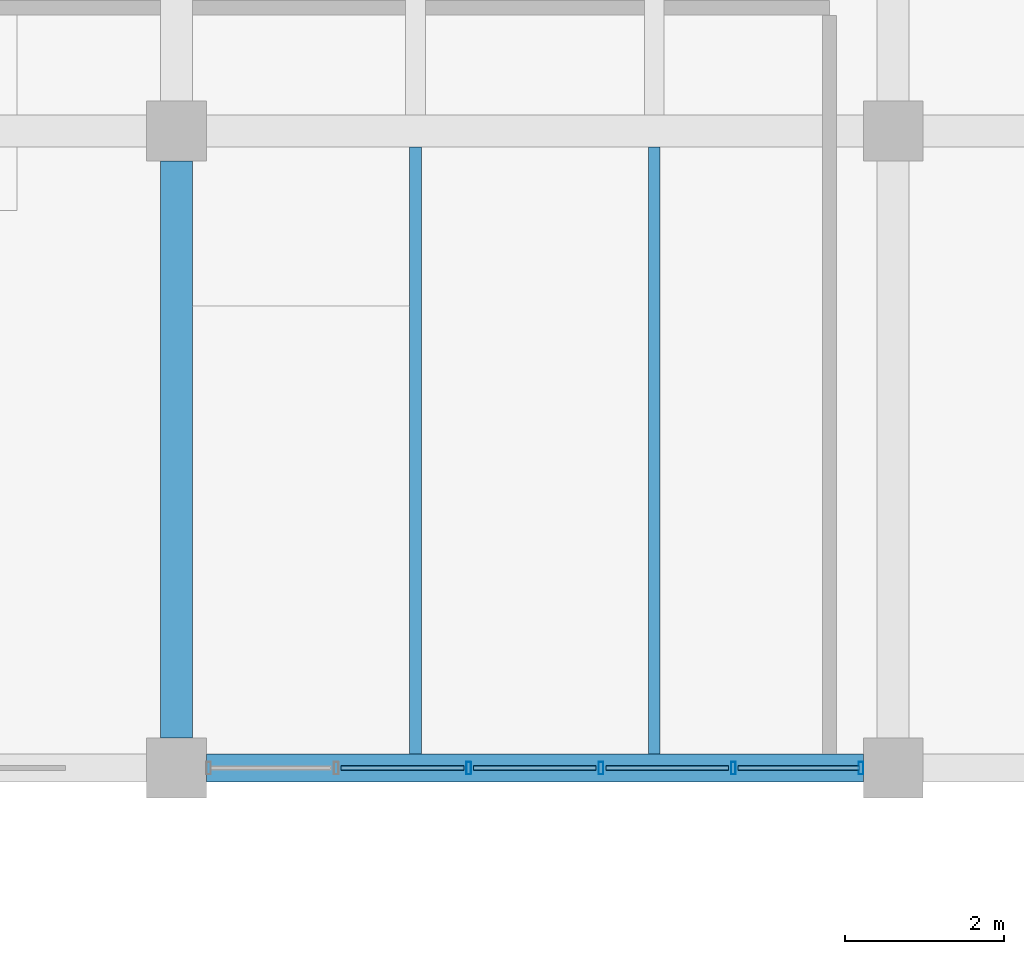
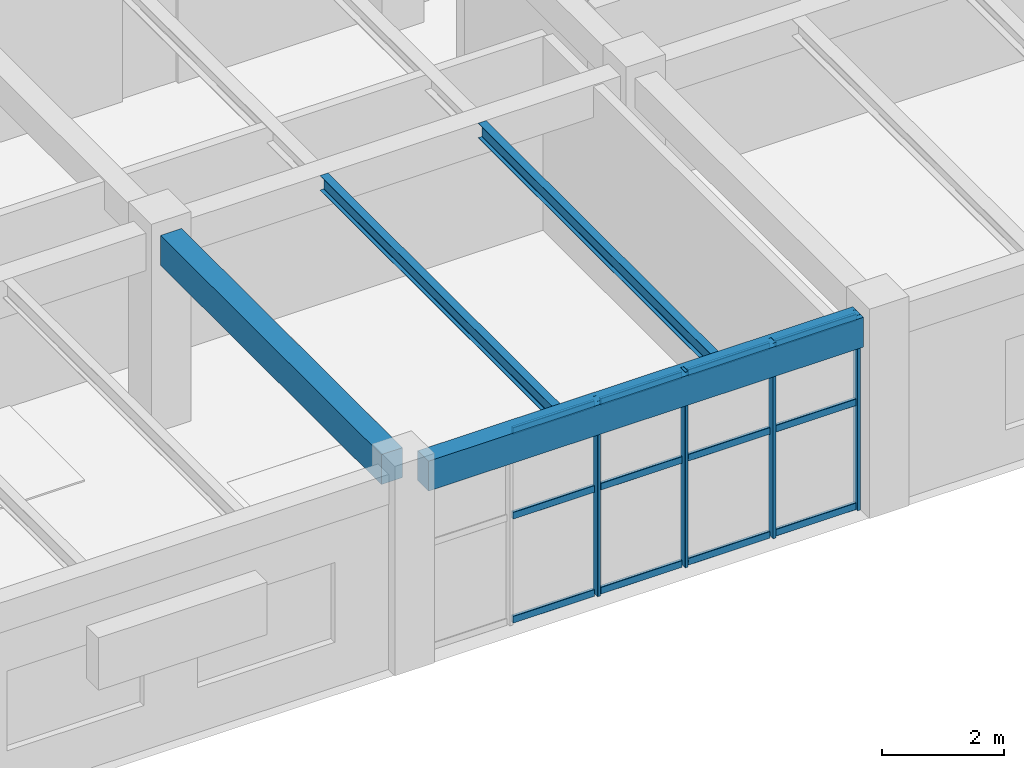
# One storey, part 87 of 148: 16 members, 4 beams, 1 element without a shape of its own.
"""IFC4 building model written with IfcOpenShell, lengths in metres."""

from ifc_helpers import new_model, si_unit, derived_unit, direction, frame, origin, origin_2d, place, context, subcontext, project, spatial, rectangle, hollow_rectangle, i_section, extrude, material, material_profile, profile_set, type_object, element, aggregate, save


model = new_model("IFC4")

# Units and contexts
model_context = context("Model", 3, precision=1e-05, world=origin(), true_north=direction((0.0, 1.0)))
body_context = subcontext(model_context, "Body", "Model", "MODEL_VIEW")
ifc_project = project(units=[si_unit("LENGTHUNIT", "METRE"), si_unit("AREAUNIT", "SQUARE_METRE"), si_unit("VOLUMEUNIT", "CUBIC_METRE"), si_unit("PLANEANGLEUNIT", "RADIAN"), si_unit("MASSUNIT", "GRAM", prefix="KILO"), derived_unit("THERMALTRANSMITTANCEUNIT", [(si_unit("MASSUNIT", "GRAM", prefix="KILO"), 1), (si_unit("TIMEUNIT", "SECOND"), -3), (si_unit("THERMODYNAMICTEMPERATUREUNIT", "KELVIN"), -1)])], contexts=[model_context])

# Site, building, storey
site_placement = place(None, origin())
site = spatial("IfcSite", under=ifc_project, at=site_placement, CompositionType="ELEMENT")
building_placement = place(site_placement, origin())
building = spatial("IfcBuilding", under=site, at=building_placement, Name="Zhenchuan Archway Interchange", CompositionType="ELEMENT")
storey_placement = place(building_placement, frame((0.0, 0.0, 10.199951171875)))
storey = spatial("IfcBuildingStorey", under=building, at=storey_placement, Name="L02", CompositionType="ELEMENT", Elevation=10.199951171875)

# Beam
ifc_material_1 = material(Name="Concrete C40", Category="concrete")
ifc_material_profile_1 = material_profile(ifc_material_1, rectangle(XDim=0.39990234375, YDim=0.60009765625, at=origin_2d()), Name="RC 400x600")
ifc_profile_set_1 = profile_set([ifc_material_profile_1], Name="Concrete C40")
beam_type_1 = type_object("IfcBeamType", Name="BM_RC_400x600", PredefinedType="BEAM", material=ifc_profile_set_1)
beam_1_placement = place(storey_placement, frame((144.0, 8.375, 3.6201171875), z_axis=(0.0, 1.0, 0.0), x_axis=(-1.0, 0.0, 0.0)))
element("IfcBeam", 1, at=beam_1_placement, inside=storey, type_object=beam_type_1, Name="Beam 17:B-C (L02)", PredefinedType="BEAM", context=body_context, shape_type="SweptSolid", body=[
    extrude(rectangle(XDim=0.39990234375, YDim=0.60009765625, at=origin_2d()), origin(), (0.0, 0.0, 1.0), 7.25),
])

# Curtain wall, members
ifc_material_2 = material(Name="Anodised Aluminium", Category="aluminium")
curtain_wall_type = type_object("IfcCurtainWallType", Name="CW_UNIT_2", PredefinedType="NOTDEFINED", material=ifc_material_2)
curtain_wall_placement = place(storey_placement, origin())
curtain_wall = element("IfcCurtainWall", 2, at=curtain_wall_placement, inside=storey, type_object=curtain_wall_type, Name="Unitised curtain wall CW:L02:157", PredefinedType="NOTDEFINED")
ifc_material_profile_2 = material_profile(ifc_material_2, hollow_rectangle(XDim=0.06005859375, YDim=0.159912109375, WallThickness=0.00390625, InnerFilletRadius=0.00390625, OuterFilletRadius=0.008056640625, at=origin_2d()), Name="ALU 160x60x4")
ifc_profile_set_2 = profile_set([ifc_material_profile_2], Name="Anodised Aluminium")
member_type_1 = type_object("IfcMemberType", Name="CW_MUL_150", PredefinedType="MULLION", material=ifc_profile_set_2)
member_1_placement = place(storey_placement, frame((152.596923828125, 8.0, 0.0), z_axis=(0.0, 0.0, 1.0), x_axis=(1.0, 0.0, 0.0)))
member_1 = element("IfcMember", 3, at=member_1_placement, type_object=member_type_1, Name="CW:L02:157 mullion 0", PredefinedType="MULLION", context=body_context, shape_type="SweptSolid", body=[
    extrude(hollow_rectangle(XDim=0.06005859375, YDim=0.159912109375, WallThickness=0.00390625, InnerFilletRadius=0.00390625, OuterFilletRadius=0.008056640625, at=origin_2d()), origin(), (0.0, 0.0, 1.0), 3.920166015625),
])
member_2_placement = place(storey_placement, frame((150.994140625, 8.0, 0.0), z_axis=(0.0, 0.0, 1.0), x_axis=(1.0, 0.0, 0.0)))
member_2 = element("IfcMember", 4, at=member_2_placement, type_object=member_type_1, Name="CW:L02:157 mullion 1", PredefinedType="MULLION", context=body_context, shape_type="SweptSolid", body=[
    extrude(hollow_rectangle(XDim=0.06005859375, YDim=0.159912109375, WallThickness=0.00390625, InnerFilletRadius=0.00390625, OuterFilletRadius=0.008056640625, at=origin_2d()), origin(), (0.0, 0.0, 1.0), 3.920166015625),
])
member_3_placement = place(storey_placement, frame((149.331298828125, 8.0, 0.0), z_axis=(0.0, 0.0, 1.0), x_axis=(1.0, 0.0, 0.0)))
member_3 = element("IfcMember", 5, at=member_3_placement, type_object=member_type_1, Name="CW:L02:157 mullion 2", PredefinedType="MULLION", context=body_context, shape_type="SweptSolid", body=[
    extrude(hollow_rectangle(XDim=0.06005859375, YDim=0.159912109375, WallThickness=0.00390625, InnerFilletRadius=0.00390625, OuterFilletRadius=0.008056640625, at=origin_2d()), origin(), (0.0, 0.0, 1.0), 3.920166015625),
])
member_4_placement = place(storey_placement, frame((147.668701171875, 8.0, 0.0), z_axis=(0.0, 0.0, 1.0), x_axis=(1.0, 0.0, 0.0)))
member_4 = element("IfcMember", 6, at=member_4_placement, type_object=member_type_1, Name="CW:L02:157 mullion 3", PredefinedType="MULLION", context=body_context, shape_type="SweptSolid", body=[
    extrude(hollow_rectangle(XDim=0.06005859375, YDim=0.159912109375, WallThickness=0.00390625, InnerFilletRadius=0.00390625, OuterFilletRadius=0.008056640625, at=origin_2d()), origin(), (0.0, 0.0, 1.0), 3.920166015625),
])
ifc_material_profile_3 = material_profile(ifc_material_2, hollow_rectangle(XDim=0.06005859375, YDim=0.139892578125, WallThickness=0.00341796875, InnerFilletRadius=0.00341796875, OuterFilletRadius=0.007080078125, at=origin_2d()), Name="ALU 140x60x3.5")
ifc_profile_set_3 = profile_set([ifc_material_profile_3], Name="Anodised Aluminium")
member_type_2 = type_object("IfcMemberType", Name="CW_TRN_140", PredefinedType="USERDEFINED", material=ifc_profile_set_3)
member_5_placement = place(storey_placement, frame((152.576904296875, 8.0, 0.06005859375), z_axis=(-1.0, 0.0, 0.0), x_axis=(0.0, -1.0, 0.0)))
member_5 = element("IfcMember", 7, at=member_5_placement, type_object=member_type_2, Name="CW:L02:157 transom 0-1", ObjectType="TRANSOM", PredefinedType="USERDEFINED", context=body_context, shape_type="SweptSolid", body=[
    extrude(hollow_rectangle(XDim=0.06005859375, YDim=0.139892578125, WallThickness=0.00341796875, InnerFilletRadius=0.00341796875, OuterFilletRadius=0.007080078125, at=origin_2d()), origin(), (0.0, 0.0, 1.0), 1.522705078125),
])
member_6_placement = place(storey_placement, frame((152.576904296875, 8.0, 2.14501953125), z_axis=(-1.0, 0.0, 0.0), x_axis=(0.0, -1.0, 0.0)))
member_6 = element("IfcMember", 8, at=member_6_placement, type_object=member_type_2, Name="CW:L02:157 transom 0-2", ObjectType="TRANSOM", PredefinedType="USERDEFINED", context=body_context, shape_type="SweptSolid", body=[
    extrude(hollow_rectangle(XDim=0.06005859375, YDim=0.139892578125, WallThickness=0.00341796875, InnerFilletRadius=0.00341796875, OuterFilletRadius=0.007080078125, at=origin_2d()), origin(), (0.0, 0.0, 1.0), 1.522705078125),
])
member_7_placement = place(storey_placement, frame((152.576904296875, 8.0, 3.840087890625), z_axis=(-1.0, 0.0, 0.0), x_axis=(0.0, -1.0, 0.0)))
member_7 = element("IfcMember", 9, at=member_7_placement, type_object=member_type_2, Name="CW:L02:157 transom 0-3", ObjectType="TRANSOM", PredefinedType="USERDEFINED", context=body_context, shape_type="SweptSolid", body=[
    extrude(hollow_rectangle(XDim=0.06005859375, YDim=0.139892578125, WallThickness=0.00341796875, InnerFilletRadius=0.00341796875, OuterFilletRadius=0.007080078125, at=origin_2d()), origin(), (0.0, 0.0, 1.0), 1.522705078125),
])
member_8_placement = place(storey_placement, frame((150.93408203125, 8.0, 0.06005859375), z_axis=(-1.0, 0.0, 0.0), x_axis=(0.0, -1.0, 0.0)))
member_8 = element("IfcMember", 10, at=member_8_placement, type_object=member_type_2, Name="CW:L02:157 transom 1-1", ObjectType="TRANSOM", PredefinedType="USERDEFINED", context=body_context, shape_type="SweptSolid", body=[
    extrude(hollow_rectangle(XDim=0.06005859375, YDim=0.139892578125, WallThickness=0.00341796875, InnerFilletRadius=0.00341796875, OuterFilletRadius=0.007080078125, at=origin_2d()), origin(), (0.0, 0.0, 1.0), 1.542724609375),
])
member_9_placement = place(storey_placement, frame((150.93408203125, 8.0, 2.14501953125), z_axis=(-1.0, 0.0, 0.0), x_axis=(0.0, -1.0, 0.0)))
member_9 = element("IfcMember", 11, at=member_9_placement, type_object=member_type_2, Name="CW:L02:157 transom 1-2", ObjectType="TRANSOM", PredefinedType="USERDEFINED", context=body_context, shape_type="SweptSolid", body=[
    extrude(hollow_rectangle(XDim=0.06005859375, YDim=0.139892578125, WallThickness=0.00341796875, InnerFilletRadius=0.00341796875, OuterFilletRadius=0.007080078125, at=origin_2d()), origin(), (0.0, 0.0, 1.0), 1.542724609375),
])
member_10_placement = place(storey_placement, frame((150.93408203125, 8.0, 3.840087890625), z_axis=(-1.0, 0.0, 0.0), x_axis=(0.0, -1.0, 0.0)))
member_10 = element("IfcMember", 12, at=member_10_placement, type_object=member_type_2, Name="CW:L02:157 transom 1-3", ObjectType="TRANSOM", PredefinedType="USERDEFINED", context=body_context, shape_type="SweptSolid", body=[
    extrude(hollow_rectangle(XDim=0.06005859375, YDim=0.139892578125, WallThickness=0.00341796875, InnerFilletRadius=0.00341796875, OuterFilletRadius=0.007080078125, at=origin_2d()), origin(), (0.0, 0.0, 1.0), 1.542724609375),
])
member_11_placement = place(storey_placement, frame((149.271484375, 8.0, 0.06005859375), z_axis=(-1.0, 0.0, 0.0), x_axis=(0.0, -1.0, 0.0)))
member_11 = element("IfcMember", 13, at=member_11_placement, type_object=member_type_2, Name="CW:L02:157 transom 2-1", ObjectType="TRANSOM", PredefinedType="USERDEFINED", context=body_context, shape_type="SweptSolid", body=[
    extrude(hollow_rectangle(XDim=0.06005859375, YDim=0.139892578125, WallThickness=0.00341796875, InnerFilletRadius=0.00341796875, OuterFilletRadius=0.007080078125, at=origin_2d()), origin(), (0.0, 0.0, 1.0), 1.54296875),
])
member_12_placement = place(storey_placement, frame((149.271484375, 8.0, 2.14501953125), z_axis=(-1.0, 0.0, 0.0), x_axis=(0.0, -1.0, 0.0)))
member_12 = element("IfcMember", 14, at=member_12_placement, type_object=member_type_2, Name="CW:L02:157 transom 2-2", ObjectType="TRANSOM", PredefinedType="USERDEFINED", context=body_context, shape_type="SweptSolid", body=[
    extrude(hollow_rectangle(XDim=0.06005859375, YDim=0.139892578125, WallThickness=0.00341796875, InnerFilletRadius=0.00341796875, OuterFilletRadius=0.007080078125, at=origin_2d()), origin(), (0.0, 0.0, 1.0), 1.54296875),
])
member_13_placement = place(storey_placement, frame((149.271484375, 8.0, 3.840087890625), z_axis=(-1.0, 0.0, 0.0), x_axis=(0.0, -1.0, 0.0)))
member_13 = element("IfcMember", 15, at=member_13_placement, type_object=member_type_2, Name="CW:L02:157 transom 2-3", ObjectType="TRANSOM", PredefinedType="USERDEFINED", context=body_context, shape_type="SweptSolid", body=[
    extrude(hollow_rectangle(XDim=0.06005859375, YDim=0.139892578125, WallThickness=0.00341796875, InnerFilletRadius=0.00341796875, OuterFilletRadius=0.007080078125, at=origin_2d()), origin(), (0.0, 0.0, 1.0), 1.54296875),
])
member_14_placement = place(storey_placement, frame((147.608642578125, 8.0, 0.06005859375), z_axis=(-1.0, 0.0, 0.0), x_axis=(0.0, -1.0, 0.0)))
member_14 = element("IfcMember", 16, at=member_14_placement, type_object=member_type_2, Name="CW:L02:157 transom 3-1", ObjectType="TRANSOM", PredefinedType="USERDEFINED", context=body_context, shape_type="SweptSolid", body=[
    extrude(hollow_rectangle(XDim=0.06005859375, YDim=0.139892578125, WallThickness=0.00341796875, InnerFilletRadius=0.00341796875, OuterFilletRadius=0.007080078125, at=origin_2d()), origin(), (0.0, 0.0, 1.0), 1.542724609375),
])
member_15_placement = place(storey_placement, frame((147.608642578125, 8.0, 2.14501953125), z_axis=(-1.0, 0.0, 0.0), x_axis=(0.0, -1.0, 0.0)))
member_15 = element("IfcMember", 17, at=member_15_placement, type_object=member_type_2, Name="CW:L02:157 transom 3-2", ObjectType="TRANSOM", PredefinedType="USERDEFINED", context=body_context, shape_type="SweptSolid", body=[
    extrude(hollow_rectangle(XDim=0.06005859375, YDim=0.139892578125, WallThickness=0.00341796875, InnerFilletRadius=0.00341796875, OuterFilletRadius=0.007080078125, at=origin_2d()), origin(), (0.0, 0.0, 1.0), 1.542724609375),
])
member_16_placement = place(storey_placement, frame((147.608642578125, 8.0, 3.840087890625), z_axis=(-1.0, 0.0, 0.0), x_axis=(0.0, -1.0, 0.0)))
member_16 = element("IfcMember", 18, at=member_16_placement, type_object=member_type_2, Name="CW:L02:157 transom 3-3", ObjectType="TRANSOM", PredefinedType="USERDEFINED", context=body_context, shape_type="SweptSolid", body=[
    extrude(hollow_rectangle(XDim=0.06005859375, YDim=0.139892578125, WallThickness=0.00341796875, InnerFilletRadius=0.00341796875, OuterFilletRadius=0.007080078125, at=origin_2d()), origin(), (0.0, 0.0, 1.0), 1.542724609375),
])
aggregate(curtain_wall, [member_1, member_2, member_3, member_4, member_5, member_6, member_7, member_8, member_9, member_10, member_11, member_12, member_13, member_14, member_15, member_16])

# Beams
ifc_material_3 = material(Name="Steel Q355", Category="steel")
ifc_material_profile_4 = material_profile(ifc_material_3, i_section(OverallWidth=0.14990234375, OverallDepth=0.300048828125, WebThickness=0.006591796875, FlangeThickness=0.009033203125, FilletRadius=0.012939453125, at=origin_2d()), Name="HN 300x150")
ifc_profile_set_4 = profile_set([ifc_material_profile_4], Name="Steel Q355")
beam_type_2 = type_object("IfcBeamType", Name="JST_STL_HN300", PredefinedType="JOIST", material=ifc_profile_set_4)
for number, where, z_axis, x_axis, name in (
    (19, (147.0, 8.175048828125, 3.77001953125), (0.0, 1.0, 0.0), (-1.0, 0.0, 0.0), "Secondary joist 17-18/B-C #1 (L02)"),
    (20, (150.0, 8.175048828125, 3.77001953125), (0.0, 1.0, 0.0), (-1.0, 0.0, 0.0), "Secondary joist 17-18/B-C #2 (L02)"),
):
    element("IfcBeam", number, at=place(storey_placement, frame(where, z_axis=z_axis, x_axis=x_axis)), inside=storey, type_object=beam_type_2, Name=name, PredefinedType="JOIST", context=body_context, shape_type="SweptSolid", body=[
        extrude(i_section(OverallWidth=0.14990234375, OverallDepth=0.300048828125, WebThickness=0.006591796875, FlangeThickness=0.009033203125, FilletRadius=0.012939453125, at=origin_2d()), origin(), (0.0, 0.0, 1.0), 7.625),
    ])
ifc_material_profile_5 = material_profile(ifc_material_1, rectangle(XDim=0.35009765625, YDim=0.60009765625, at=origin_2d()), Name="RC 350x600")
ifc_profile_set_5 = profile_set([ifc_material_profile_5], Name="Concrete C40")
beam_type_3 = type_object("IfcBeamType", Name="SP_RC_350x600", PredefinedType="SPANDREL", material=ifc_profile_set_5)
beam_2_placement = place(storey_placement, frame((144.375, 8.0, 3.6201171875), z_axis=(1.0, 0.0, 0.0), x_axis=(0.0, 1.0, 0.0)))
element("IfcBeam", 21, at=beam_2_placement, inside=storey, type_object=beam_type_3, Name="Beam B:17-18 (L02)", PredefinedType="SPANDREL", context=body_context, shape_type="SweptSolid", body=[
    extrude(rectangle(XDim=0.35009765625, YDim=0.60009765625, at=origin_2d()), origin(), (0.0, 0.0, 1.0), 8.25),
])

save(model, "model.ifc")
